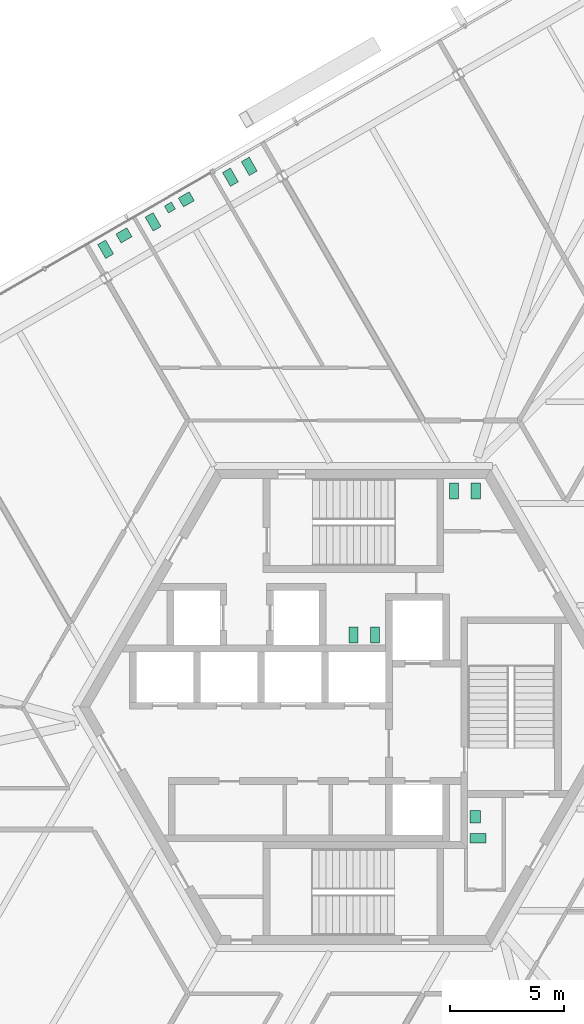
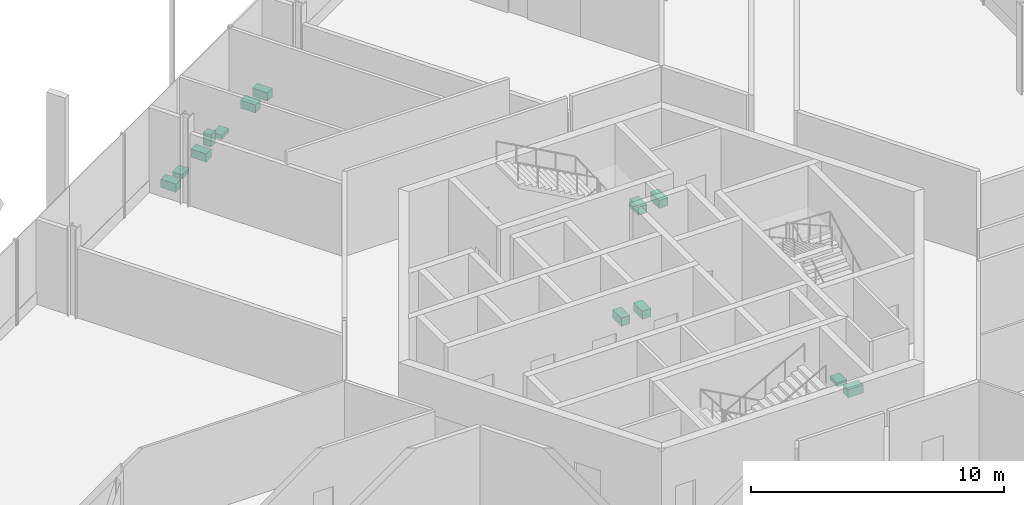
# One storey, part 19 of 19: 13 sanitary terminals.
"""IFC4 building model written with IfcOpenShell, lengths in metres."""

from ifc_helpers import new_model, si_unit, direction, frame, origin, origin_2d, place, context, subcontext, project, spatial, rectangle, extrude, source, transform, mapped, material, element, save


model = new_model("IFC4")

# Units and contexts
model_context = context("Model", 3, precision=1e-05, world=origin(), true_north=direction((0.0, 1.0)))
body_context = subcontext(model_context, "Body", "Model", "MODEL_VIEW")
ifc_project = project(units=[si_unit("LENGTHUNIT", "METRE"), si_unit("AREAUNIT", "SQUARE_METRE"), si_unit("VOLUMEUNIT", "CUBIC_METRE"), si_unit("PLANEANGLEUNIT", "RADIAN"), si_unit("MASSUNIT", "GRAM", prefix="KILO")], contexts=[model_context])

# Site, building, storey
site_placement = place(None, origin())
site = spatial("IfcSite", under=ifc_project, at=site_placement, CompositionType="ELEMENT")
building_placement = place(site_placement, origin())
building = spatial("IfcBuilding", under=site, at=building_placement, Name="Triune Harvest Tower", CompositionType="ELEMENT")
storey_placement = place(building_placement, frame((0.0, 0.0, 24.60009765625)))
storey = spatial("IfcBuildingStorey", under=building, at=storey_placement, Name="L05", CompositionType="ELEMENT", Elevation=24.60009765625)

# Sanitary terminals
ifc_material = material(Name="Vitreous china")
shared_shape_1 = source(origin(), body_context, "Body", "SweptSolid", [
    extrude(rectangle(XDim=0.39990234375, YDim=0.699951171875, at=origin_2d()), origin(), (0.0, 0.0, 1.0), 0.39990234375),
])
for number, where, z_axis, x_axis, name in (
    (1, (4.39990234375, 9.449951171875, 0.0), (0.0, 0.0, 1.0), (1.0, 0.0, 0.0), "Toilet pan L05.c01"),
    (2, (5.35009765625, 9.449951171875, 0.0), (0.0, 0.0, 1.0), (1.0, 0.0, 0.0), "Toilet pan L05.c02"),
    (3, (0.949951171875, 3.159912109375, 0.0), (0.0, 0.0, 1.0), (-1.0, 0.0, 0.0), "Toilet pan L05.c03"),
    (4, (0.0, 3.159912109375, 0.0), (0.0, 0.0, 1.0), (-1.0, 0.0, 0.0), "Toilet pan L05.c04"),
    (5, (5.449951171875, -5.739990234375, 0.0), (0.0, 0.0, 1.0), (0.0, 1.0, 0.0), "Toilet pan L05.c05"),
    (6, (-5.38330078125, 23.18603515625, 0.0), (0.0, 0.0, 1.0), (0.866034130299, 0.499984884929, 0.0), "Toilet pan 01"),
    (7, (-4.560546875, 23.6611328125, 0.0), (0.0, 0.0, 1.0), (0.866034130299, 0.499984884929, 0.0), "Toilet pan 02"),
    (8, (-8.765869140625, 21.233154296875, 0.0), (0.0, 0.0, 1.0), (0.866034130299, 0.499984884929, 0.0), "Toilet pan 03"),
    (9, (-10.844482421875, 20.033203125, 0.0), (0.0, 0.0, 1.0), (0.866034130299, 0.499984884929, 0.0), "Toilet pan 06"),
):
    element("IfcSanitaryTerminal", number, at=place(storey_placement, frame(where, z_axis=z_axis, x_axis=x_axis)), inside=storey, material=ifc_material, Name=name, PredefinedType="TOILETPAN", context=body_context, shape_type="MappedRepresentation", body=[
        mapped(shared_shape_1, transform((0.0, 0.0, 0.0), scale=1.0)),
    ])
shared_shape_2 = source(origin(), body_context, "Body", "SweptSolid", [
    extrude(rectangle(XDim=0.35009765625, YDim=0.35009765625, at=origin_2d()), origin(), (0.0, 0.0, 1.0), 0.60009765625),
])
sanitary_terminal_placement = place(storey_placement, frame((-8.03076171875, 21.859619140625, -0.000244140625), z_axis=(0.0, 0.0, 1.0), x_axis=(0.866034130299, 0.499984884929, 0.0)))
element("IfcSanitaryTerminal", 10, at=sanitary_terminal_placement, inside=storey, material=ifc_material, Name="Urinal 04", PredefinedType="URINAL", context=body_context, shape_type="MappedRepresentation", body=[
    mapped(shared_shape_2, transform((0.0, 0.0, 0.0), scale=1.0)),
])
shared_shape_3 = source(origin(), body_context, "Body", "SweptSolid", [
    extrude(rectangle(XDim=0.550048828125, YDim=0.449951171875, at=origin_2d()), origin(), (0.0, 0.0, 1.0), 0.199951171875),
])
for number, where, z_axis, x_axis, name in (
    (11, (5.324951171875, -4.7900390625, 0.0), (0.0, 0.0, 1.0), (0.0, 1.0, 0.0), "Wash basin L05.c06"),
    (12, (-7.312744140625, 22.21630859375, 0.0), (0.0, 0.0, 1.0), (0.866034130299, 0.499984884929, 0.0), "Wash basin 05"),
    (13, (-10.040771484375, 20.641357421875, 0.0), (0.0, 0.0, 1.0), (0.866034130299, 0.499984884929, 0.0), "Wash basin 07"),
):
    element("IfcSanitaryTerminal", number, at=place(storey_placement, frame(where, z_axis=z_axis, x_axis=x_axis)), inside=storey, material=ifc_material, Name=name, PredefinedType="WASHHANDBASIN", context=body_context, shape_type="MappedRepresentation", body=[
        mapped(shared_shape_3, transform((0.0, 0.0, 0.0), scale=1.0)),
    ])

save(model, "model.ifc")
